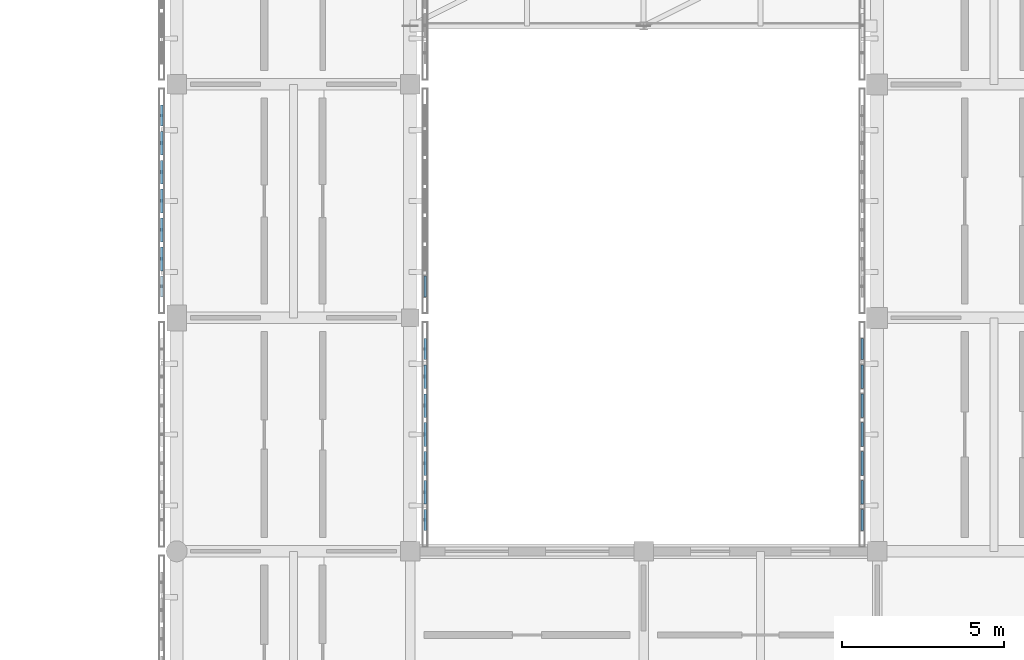
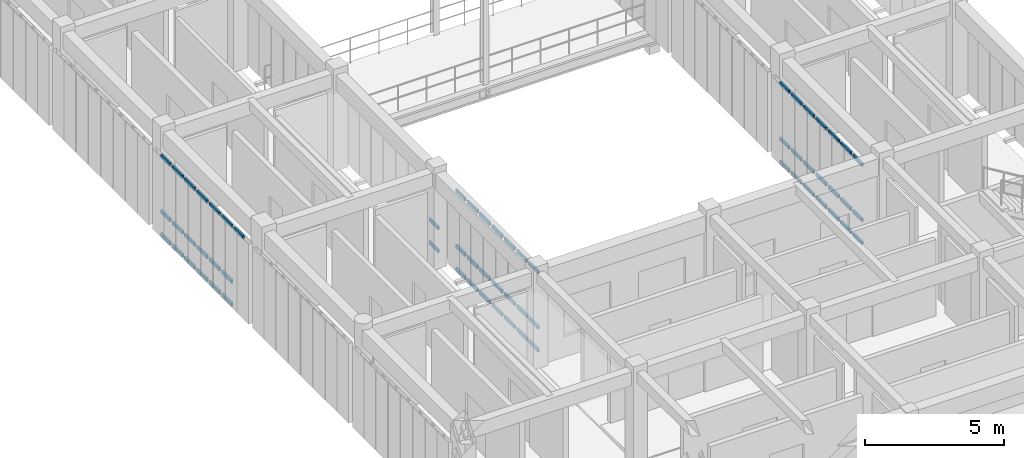
# One storey, part 85 of 171: 63 members, 4 elements without a shape of their own.
"""IFC4 building model written with IfcOpenShell, lengths in metres."""

from ifc_helpers import new_model, si_unit, direction, frame, origin, origin_2d, place, context, subcontext, project, spatial, hollow_rectangle, extrude, material, material_profile, profile_set, type_object, element, aggregate, save


model = new_model("IFC4")

# Units and contexts
model_context = context("Model", 3, precision=1e-05, world=origin(), true_north=direction((0.0, 1.0)))
body_context = subcontext(model_context, "Body", "Model", "MODEL_VIEW")
ifc_project = project(units=[si_unit("LENGTHUNIT", "METRE"), si_unit("AREAUNIT", "SQUARE_METRE"), si_unit("VOLUMEUNIT", "CUBIC_METRE"), si_unit("PLANEANGLEUNIT", "RADIAN"), si_unit("MASSUNIT", "GRAM", prefix="KILO")], contexts=[model_context])

# Site, building, storey
site_placement = place(None, origin())
site = spatial("IfcSite", under=ifc_project, at=site_placement, CompositionType="ELEMENT")
building_placement = place(site_placement, origin())
building = spatial("IfcBuilding", under=site, at=building_placement, Name="Aldebral Square Health Centre", CompositionType="ELEMENT")
storey_placement = place(building_placement, frame((0.0, 0.0, 4.5)))
storey = spatial("IfcBuildingStorey", under=building, at=storey_placement, Name="L01", CompositionType="ELEMENT", Elevation=4.5)

# Curtain wall, members
ifc_material_1 = material(Name="Aluminium and low-E solar glass", Category="aluminium")
curtain_wall_type = type_object("IfcCurtainWallType", Name="CW-FIN-SYS", PredefinedType="USERDEFINED", material=ifc_material_1)
curtain_wall_1_placement = place(storey_placement, origin())
curtain_wall_1 = element("IfcCurtainWall", 1, at=curtain_wall_1_placement, inside=storey, type_object=curtain_wall_type, Name="L01 V5 finned curtain wall L01-V5-19-09-E", ObjectType="SOLAR_CURTAIN_WALL", PredefinedType="USERDEFINED")
ifc_material_2 = material(Name="Anodised aluminium transom", Category="aluminium")
ifc_material_profile = material_profile(ifc_material_2, hollow_rectangle(XDim=0.074951171875, YDim=0.14990234375, WallThickness=0.00390625, at=origin_2d()), Name="CWT 75x150x4")
ifc_profile_set = profile_set([ifc_material_profile], Name="Anodised aluminium transom")
member_type = type_object("IfcMemberType", Name="CWT-STD", PredefinedType="USERDEFINED", material=ifc_profile_set)
member_1_placement = place(storey_placement, frame((144.4599609375, 65.43994140625, 0.03759765625), z_axis=(0.0, 1.0, 0.0), x_axis=(-1.0, 0.0, 0.0)))
member_1 = element("IfcMember", 2, at=member_1_placement, type_object=member_type, Name="CW1 transom 1.1", ObjectType="TRANSOM", PredefinedType="USERDEFINED", context=body_context, shape_type="SweptSolid", body=[
    extrude(hollow_rectangle(XDim=0.074951171875, YDim=0.14990234375, WallThickness=0.00390625, at=origin_2d()), origin(), (0.0, 0.0, 1.0), 0.6513671875),
])
member_2_placement = place(storey_placement, frame((144.4599609375, 65.43994140625, 1.050048828125), z_axis=(0.0, 1.0, 0.0), x_axis=(-1.0, 0.0, 0.0)))
member_2 = element("IfcMember", 3, at=member_2_placement, type_object=member_type, Name="CW1 transom 1.2", ObjectType="TRANSOM", PredefinedType="USERDEFINED", context=body_context, shape_type="SweptSolid", body=[
    extrude(hollow_rectangle(XDim=0.074951171875, YDim=0.14990234375, WallThickness=0.00390625, at=origin_2d()), origin(), (0.0, 0.0, 1.0), 0.6513671875),
])
member_3_placement = place(storey_placement, frame((144.4599609375, 65.43994140625, 3.482421875), z_axis=(0.0, 1.0, 0.0), x_axis=(-1.0, 0.0, 0.0)))
member_3 = element("IfcMember", 4, at=member_3_placement, type_object=member_type, Name="CW1 transom 1.3", ObjectType="TRANSOM", PredefinedType="USERDEFINED", context=body_context, shape_type="SweptSolid", body=[
    extrude(hollow_rectangle(XDim=0.074951171875, YDim=0.14990234375, WallThickness=0.00390625, at=origin_2d()), origin(), (0.0, 0.0, 1.0), 0.6513671875),
])
member_4_placement = place(storey_placement, frame((144.4599609375, 66.25146484375, 0.03759765625), z_axis=(0.0, 1.0, 0.0), x_axis=(-1.0, 0.0, 0.0)))
member_4 = element("IfcMember", 5, at=member_4_placement, type_object=member_type, Name="CW1 transom 2.1", ObjectType="TRANSOM", PredefinedType="USERDEFINED", context=body_context, shape_type="SweptSolid", body=[
    extrude(hollow_rectangle(XDim=0.074951171875, YDim=0.14990234375, WallThickness=0.00390625, at=origin_2d()), origin(), (0.0, 0.0, 1.0), 0.7314453125),
])
member_5_placement = place(storey_placement, frame((144.4599609375, 66.25146484375, 1.050048828125), z_axis=(0.0, 1.0, 0.0), x_axis=(-1.0, 0.0, 0.0)))
member_5 = element("IfcMember", 6, at=member_5_placement, type_object=member_type, Name="CW1 transom 2.2", ObjectType="TRANSOM", PredefinedType="USERDEFINED", context=body_context, shape_type="SweptSolid", body=[
    extrude(hollow_rectangle(XDim=0.074951171875, YDim=0.14990234375, WallThickness=0.00390625, at=origin_2d()), origin(), (0.0, 0.0, 1.0), 0.7314453125),
])
member_6_placement = place(storey_placement, frame((144.4599609375, 66.25146484375, 3.482421875), z_axis=(0.0, 1.0, 0.0), x_axis=(-1.0, 0.0, 0.0)))
member_6 = element("IfcMember", 7, at=member_6_placement, type_object=member_type, Name="CW1 transom 2.3", ObjectType="TRANSOM", PredefinedType="USERDEFINED", context=body_context, shape_type="SweptSolid", body=[
    extrude(hollow_rectangle(XDim=0.074951171875, YDim=0.14990234375, WallThickness=0.00390625, at=origin_2d()), origin(), (0.0, 0.0, 1.0), 0.7314453125),
])
member_7_placement = place(storey_placement, frame((144.4599609375, 67.142822265625, 0.03759765625), z_axis=(0.0, 1.0, 0.0), x_axis=(-1.0, 0.0, 0.0)))
member_7 = element("IfcMember", 8, at=member_7_placement, type_object=member_type, Name="CW1 transom 3.1", ObjectType="TRANSOM", PredefinedType="USERDEFINED", context=body_context, shape_type="SweptSolid", body=[
    extrude(hollow_rectangle(XDim=0.074951171875, YDim=0.14990234375, WallThickness=0.00390625, at=origin_2d()), origin(), (0.0, 0.0, 1.0), 0.7314453125),
])
member_8_placement = place(storey_placement, frame((144.4599609375, 67.142822265625, 1.050048828125), z_axis=(0.0, 1.0, 0.0), x_axis=(-1.0, 0.0, 0.0)))
member_8 = element("IfcMember", 9, at=member_8_placement, type_object=member_type, Name="CW1 transom 3.2", ObjectType="TRANSOM", PredefinedType="USERDEFINED", context=body_context, shape_type="SweptSolid", body=[
    extrude(hollow_rectangle(XDim=0.074951171875, YDim=0.14990234375, WallThickness=0.00390625, at=origin_2d()), origin(), (0.0, 0.0, 1.0), 0.7314453125),
])
member_9_placement = place(storey_placement, frame((144.4599609375, 67.142822265625, 3.482421875), z_axis=(0.0, 1.0, 0.0), x_axis=(-1.0, 0.0, 0.0)))
member_9 = element("IfcMember", 10, at=member_9_placement, type_object=member_type, Name="CW1 transom 3.3", ObjectType="TRANSOM", PredefinedType="USERDEFINED", context=body_context, shape_type="SweptSolid", body=[
    extrude(hollow_rectangle(XDim=0.074951171875, YDim=0.14990234375, WallThickness=0.00390625, at=origin_2d()), origin(), (0.0, 0.0, 1.0), 0.7314453125),
])
member_10_placement = place(storey_placement, frame((144.4599609375, 68.0341796875, 0.03759765625), z_axis=(0.0, 1.0, 0.0), x_axis=(-1.0, 0.0, 0.0)))
member_10 = element("IfcMember", 11, at=member_10_placement, type_object=member_type, Name="CW1 transom 4.1", ObjectType="TRANSOM", PredefinedType="USERDEFINED", context=body_context, shape_type="SweptSolid", body=[
    extrude(hollow_rectangle(XDim=0.074951171875, YDim=0.14990234375, WallThickness=0.00390625, at=origin_2d()), origin(), (0.0, 0.0, 1.0), 0.7314453125),
])
member_11_placement = place(storey_placement, frame((144.4599609375, 68.0341796875, 1.050048828125), z_axis=(0.0, 1.0, 0.0), x_axis=(-1.0, 0.0, 0.0)))
member_11 = element("IfcMember", 12, at=member_11_placement, type_object=member_type, Name="CW1 transom 4.2", ObjectType="TRANSOM", PredefinedType="USERDEFINED", context=body_context, shape_type="SweptSolid", body=[
    extrude(hollow_rectangle(XDim=0.074951171875, YDim=0.14990234375, WallThickness=0.00390625, at=origin_2d()), origin(), (0.0, 0.0, 1.0), 0.7314453125),
])
member_12_placement = place(storey_placement, frame((144.4599609375, 68.0341796875, 3.482421875), z_axis=(0.0, 1.0, 0.0), x_axis=(-1.0, 0.0, 0.0)))
member_12 = element("IfcMember", 13, at=member_12_placement, type_object=member_type, Name="CW1 transom 4.3", ObjectType="TRANSOM", PredefinedType="USERDEFINED", context=body_context, shape_type="SweptSolid", body=[
    extrude(hollow_rectangle(XDim=0.074951171875, YDim=0.14990234375, WallThickness=0.00390625, at=origin_2d()), origin(), (0.0, 0.0, 1.0), 0.7314453125),
])
member_13_placement = place(storey_placement, frame((144.4599609375, 68.92578125, 0.03759765625), z_axis=(0.0, 1.0, 0.0), x_axis=(-1.0, 0.0, 0.0)))
member_13 = element("IfcMember", 14, at=member_13_placement, type_object=member_type, Name="CW1 transom 5.1", ObjectType="TRANSOM", PredefinedType="USERDEFINED", context=body_context, shape_type="SweptSolid", body=[
    extrude(hollow_rectangle(XDim=0.074951171875, YDim=0.14990234375, WallThickness=0.00390625, at=origin_2d()), origin(), (0.0, 0.0, 1.0), 0.7314453125),
])
member_14_placement = place(storey_placement, frame((144.4599609375, 68.92578125, 1.050048828125), z_axis=(0.0, 1.0, 0.0), x_axis=(-1.0, 0.0, 0.0)))
member_14 = element("IfcMember", 15, at=member_14_placement, type_object=member_type, Name="CW1 transom 5.2", ObjectType="TRANSOM", PredefinedType="USERDEFINED", context=body_context, shape_type="SweptSolid", body=[
    extrude(hollow_rectangle(XDim=0.074951171875, YDim=0.14990234375, WallThickness=0.00390625, at=origin_2d()), origin(), (0.0, 0.0, 1.0), 0.7314453125),
])
member_15_placement = place(storey_placement, frame((144.4599609375, 68.92578125, 3.482421875), z_axis=(0.0, 1.0, 0.0), x_axis=(-1.0, 0.0, 0.0)))
member_15 = element("IfcMember", 16, at=member_15_placement, type_object=member_type, Name="CW1 transom 5.3", ObjectType="TRANSOM", PredefinedType="USERDEFINED", context=body_context, shape_type="SweptSolid", body=[
    extrude(hollow_rectangle(XDim=0.074951171875, YDim=0.14990234375, WallThickness=0.00390625, at=origin_2d()), origin(), (0.0, 0.0, 1.0), 0.7314453125),
])
member_16_placement = place(storey_placement, frame((144.4599609375, 69.817138671875, 0.03759765625), z_axis=(0.0, 1.0, 0.0), x_axis=(-1.0, 0.0, 0.0)))
member_16 = element("IfcMember", 17, at=member_16_placement, type_object=member_type, Name="CW1 transom 6.1", ObjectType="TRANSOM", PredefinedType="USERDEFINED", context=body_context, shape_type="SweptSolid", body=[
    extrude(hollow_rectangle(XDim=0.074951171875, YDim=0.14990234375, WallThickness=0.00390625, at=origin_2d()), origin(), (0.0, 0.0, 1.0), 0.7314453125),
])
member_17_placement = place(storey_placement, frame((144.4599609375, 69.817138671875, 1.050048828125), z_axis=(0.0, 1.0, 0.0), x_axis=(-1.0, 0.0, 0.0)))
member_17 = element("IfcMember", 18, at=member_17_placement, type_object=member_type, Name="CW1 transom 6.2", ObjectType="TRANSOM", PredefinedType="USERDEFINED", context=body_context, shape_type="SweptSolid", body=[
    extrude(hollow_rectangle(XDim=0.074951171875, YDim=0.14990234375, WallThickness=0.00390625, at=origin_2d()), origin(), (0.0, 0.0, 1.0), 0.7314453125),
])
member_18_placement = place(storey_placement, frame((144.4599609375, 69.817138671875, 3.482421875), z_axis=(0.0, 1.0, 0.0), x_axis=(-1.0, 0.0, 0.0)))
member_18 = element("IfcMember", 19, at=member_18_placement, type_object=member_type, Name="CW1 transom 6.3", ObjectType="TRANSOM", PredefinedType="USERDEFINED", context=body_context, shape_type="SweptSolid", body=[
    extrude(hollow_rectangle(XDim=0.074951171875, YDim=0.14990234375, WallThickness=0.00390625, at=origin_2d()), origin(), (0.0, 0.0, 1.0), 0.7314453125),
])
member_19_placement = place(storey_placement, frame((144.4599609375, 70.70849609375, 0.03759765625), z_axis=(0.0, 1.0, 0.0), x_axis=(-1.0, 0.0, 0.0)))
member_19 = element("IfcMember", 20, at=member_19_placement, type_object=member_type, Name="CW1 transom 7.1", ObjectType="TRANSOM", PredefinedType="USERDEFINED", context=body_context, shape_type="SweptSolid", body=[
    extrude(hollow_rectangle(XDim=0.074951171875, YDim=0.14990234375, WallThickness=0.00390625, at=origin_2d()), origin(), (0.0, 0.0, 1.0), 0.651611328125),
])
member_20_placement = place(storey_placement, frame((144.4599609375, 70.70849609375, 1.050048828125), z_axis=(0.0, 1.0, 0.0), x_axis=(-1.0, 0.0, 0.0)))
member_20 = element("IfcMember", 21, at=member_20_placement, type_object=member_type, Name="CW1 transom 7.2", ObjectType="TRANSOM", PredefinedType="USERDEFINED", context=body_context, shape_type="SweptSolid", body=[
    extrude(hollow_rectangle(XDim=0.074951171875, YDim=0.14990234375, WallThickness=0.00390625, at=origin_2d()), origin(), (0.0, 0.0, 1.0), 0.651611328125),
])
member_21_placement = place(storey_placement, frame((144.4599609375, 70.70849609375, 3.482421875), z_axis=(0.0, 1.0, 0.0), x_axis=(-1.0, 0.0, 0.0)))
member_21 = element("IfcMember", 22, at=member_21_placement, type_object=member_type, Name="CW1 transom 7.3", ObjectType="TRANSOM", PredefinedType="USERDEFINED", context=body_context, shape_type="SweptSolid", body=[
    extrude(hollow_rectangle(XDim=0.074951171875, YDim=0.14990234375, WallThickness=0.00390625, at=origin_2d()), origin(), (0.0, 0.0, 1.0), 0.651611328125),
])
aggregate(curtain_wall_1, [member_1, member_2, member_3, member_4, member_5, member_6, member_7, member_8, member_9, member_10, member_11, member_12, member_13, member_14, member_15, member_16, member_17, member_18, member_19, member_20, member_21])

curtain_wall_2_placement = place(storey_placement, origin())
curtain_wall_2 = element("IfcCurtainWall", 23, at=curtain_wall_2_placement, inside=storey, type_object=curtain_wall_type, Name="L01 V5 finned curtain wall L01-V5-19-10-W", ObjectType="SOLAR_CURTAIN_WALL", PredefinedType="USERDEFINED")
member_22_placement = place(storey_placement, frame((136.340087890625, 78.56005859375, 0.03759765625), z_axis=(0.0, -1.0, 0.0), x_axis=(1.0, 0.0, 0.0)))
member_22 = element("IfcMember", 24, at=member_22_placement, type_object=member_type, Name="CW1 transom 1.1", ObjectType="TRANSOM", PredefinedType="USERDEFINED", context=body_context, shape_type="SweptSolid", body=[
    extrude(hollow_rectangle(XDim=0.074951171875, YDim=0.14990234375, WallThickness=0.00390625, at=origin_2d()), origin(), (0.0, 0.0, 1.0), 0.6513671875),
])
member_23_placement = place(storey_placement, frame((136.340087890625, 78.56005859375, 1.050048828125), z_axis=(0.0, -1.0, 0.0), x_axis=(1.0, 0.0, 0.0)))
member_23 = element("IfcMember", 25, at=member_23_placement, type_object=member_type, Name="CW1 transom 1.2", ObjectType="TRANSOM", PredefinedType="USERDEFINED", context=body_context, shape_type="SweptSolid", body=[
    extrude(hollow_rectangle(XDim=0.074951171875, YDim=0.14990234375, WallThickness=0.00390625, at=origin_2d()), origin(), (0.0, 0.0, 1.0), 0.6513671875),
])
member_24_placement = place(storey_placement, frame((136.340087890625, 78.56005859375, 3.482421875), z_axis=(0.0, -1.0, 0.0), x_axis=(1.0, 0.0, 0.0)))
member_24 = element("IfcMember", 26, at=member_24_placement, type_object=member_type, Name="CW1 transom 1.3", ObjectType="TRANSOM", PredefinedType="USERDEFINED", context=body_context, shape_type="SweptSolid", body=[
    extrude(hollow_rectangle(XDim=0.074951171875, YDim=0.14990234375, WallThickness=0.00390625, at=origin_2d()), origin(), (0.0, 0.0, 1.0), 0.6513671875),
])
member_25_placement = place(storey_placement, frame((136.340087890625, 77.74853515625, 0.03759765625), z_axis=(0.0, -1.0, 0.0), x_axis=(1.0, 0.0, 0.0)))
member_25 = element("IfcMember", 27, at=member_25_placement, type_object=member_type, Name="CW1 transom 2.1", ObjectType="TRANSOM", PredefinedType="USERDEFINED", context=body_context, shape_type="SweptSolid", body=[
    extrude(hollow_rectangle(XDim=0.074951171875, YDim=0.14990234375, WallThickness=0.00390625, at=origin_2d()), origin(), (0.0, 0.0, 1.0), 0.7314453125),
])
member_26_placement = place(storey_placement, frame((136.340087890625, 77.74853515625, 1.050048828125), z_axis=(0.0, -1.0, 0.0), x_axis=(1.0, 0.0, 0.0)))
member_26 = element("IfcMember", 28, at=member_26_placement, type_object=member_type, Name="CW1 transom 2.2", ObjectType="TRANSOM", PredefinedType="USERDEFINED", context=body_context, shape_type="SweptSolid", body=[
    extrude(hollow_rectangle(XDim=0.074951171875, YDim=0.14990234375, WallThickness=0.00390625, at=origin_2d()), origin(), (0.0, 0.0, 1.0), 0.7314453125),
])
member_27_placement = place(storey_placement, frame((136.340087890625, 77.74853515625, 3.482421875), z_axis=(0.0, -1.0, 0.0), x_axis=(1.0, 0.0, 0.0)))
member_27 = element("IfcMember", 29, at=member_27_placement, type_object=member_type, Name="CW1 transom 2.3", ObjectType="TRANSOM", PredefinedType="USERDEFINED", context=body_context, shape_type="SweptSolid", body=[
    extrude(hollow_rectangle(XDim=0.074951171875, YDim=0.14990234375, WallThickness=0.00390625, at=origin_2d()), origin(), (0.0, 0.0, 1.0), 0.7314453125),
])
member_28_placement = place(storey_placement, frame((136.340087890625, 76.857177734375, 0.03759765625), z_axis=(0.0, -1.0, 0.0), x_axis=(1.0, 0.0, 0.0)))
member_28 = element("IfcMember", 30, at=member_28_placement, type_object=member_type, Name="CW1 transom 3.1", ObjectType="TRANSOM", PredefinedType="USERDEFINED", context=body_context, shape_type="SweptSolid", body=[
    extrude(hollow_rectangle(XDim=0.074951171875, YDim=0.14990234375, WallThickness=0.00390625, at=origin_2d()), origin(), (0.0, 0.0, 1.0), 0.7314453125),
])
member_29_placement = place(storey_placement, frame((136.340087890625, 76.857177734375, 1.050048828125), z_axis=(0.0, -1.0, 0.0), x_axis=(1.0, 0.0, 0.0)))
member_29 = element("IfcMember", 31, at=member_29_placement, type_object=member_type, Name="CW1 transom 3.2", ObjectType="TRANSOM", PredefinedType="USERDEFINED", context=body_context, shape_type="SweptSolid", body=[
    extrude(hollow_rectangle(XDim=0.074951171875, YDim=0.14990234375, WallThickness=0.00390625, at=origin_2d()), origin(), (0.0, 0.0, 1.0), 0.7314453125),
])
member_30_placement = place(storey_placement, frame((136.340087890625, 76.857177734375, 3.482421875), z_axis=(0.0, -1.0, 0.0), x_axis=(1.0, 0.0, 0.0)))
member_30 = element("IfcMember", 32, at=member_30_placement, type_object=member_type, Name="CW1 transom 3.3", ObjectType="TRANSOM", PredefinedType="USERDEFINED", context=body_context, shape_type="SweptSolid", body=[
    extrude(hollow_rectangle(XDim=0.074951171875, YDim=0.14990234375, WallThickness=0.00390625, at=origin_2d()), origin(), (0.0, 0.0, 1.0), 0.7314453125),
])
member_31_placement = place(storey_placement, frame((136.340087890625, 75.9658203125, 0.03759765625), z_axis=(0.0, -1.0, 0.0), x_axis=(1.0, 0.0, 0.0)))
member_31 = element("IfcMember", 33, at=member_31_placement, type_object=member_type, Name="CW1 transom 4.1", ObjectType="TRANSOM", PredefinedType="USERDEFINED", context=body_context, shape_type="SweptSolid", body=[
    extrude(hollow_rectangle(XDim=0.074951171875, YDim=0.14990234375, WallThickness=0.00390625, at=origin_2d()), origin(), (0.0, 0.0, 1.0), 0.7314453125),
])
member_32_placement = place(storey_placement, frame((136.340087890625, 75.9658203125, 1.050048828125), z_axis=(0.0, -1.0, 0.0), x_axis=(1.0, 0.0, 0.0)))
member_32 = element("IfcMember", 34, at=member_32_placement, type_object=member_type, Name="CW1 transom 4.2", ObjectType="TRANSOM", PredefinedType="USERDEFINED", context=body_context, shape_type="SweptSolid", body=[
    extrude(hollow_rectangle(XDim=0.074951171875, YDim=0.14990234375, WallThickness=0.00390625, at=origin_2d()), origin(), (0.0, 0.0, 1.0), 0.7314453125),
])
member_33_placement = place(storey_placement, frame((136.340087890625, 75.9658203125, 3.482421875), z_axis=(0.0, -1.0, 0.0), x_axis=(1.0, 0.0, 0.0)))
member_33 = element("IfcMember", 35, at=member_33_placement, type_object=member_type, Name="CW1 transom 4.3", ObjectType="TRANSOM", PredefinedType="USERDEFINED", context=body_context, shape_type="SweptSolid", body=[
    extrude(hollow_rectangle(XDim=0.074951171875, YDim=0.14990234375, WallThickness=0.00390625, at=origin_2d()), origin(), (0.0, 0.0, 1.0), 0.7314453125),
])
member_34_placement = place(storey_placement, frame((136.340087890625, 75.07421875, 0.03759765625), z_axis=(0.0, -1.0, 0.0), x_axis=(1.0, 0.0, 0.0)))
member_34 = element("IfcMember", 36, at=member_34_placement, type_object=member_type, Name="CW1 transom 5.1", ObjectType="TRANSOM", PredefinedType="USERDEFINED", context=body_context, shape_type="SweptSolid", body=[
    extrude(hollow_rectangle(XDim=0.074951171875, YDim=0.14990234375, WallThickness=0.00390625, at=origin_2d()), origin(), (0.0, 0.0, 1.0), 0.7314453125),
])
member_35_placement = place(storey_placement, frame((136.340087890625, 75.07421875, 1.050048828125), z_axis=(0.0, -1.0, 0.0), x_axis=(1.0, 0.0, 0.0)))
member_35 = element("IfcMember", 37, at=member_35_placement, type_object=member_type, Name="CW1 transom 5.2", ObjectType="TRANSOM", PredefinedType="USERDEFINED", context=body_context, shape_type="SweptSolid", body=[
    extrude(hollow_rectangle(XDim=0.074951171875, YDim=0.14990234375, WallThickness=0.00390625, at=origin_2d()), origin(), (0.0, 0.0, 1.0), 0.7314453125),
])
member_36_placement = place(storey_placement, frame((136.340087890625, 75.07421875, 3.482421875), z_axis=(0.0, -1.0, 0.0), x_axis=(1.0, 0.0, 0.0)))
member_36 = element("IfcMember", 38, at=member_36_placement, type_object=member_type, Name="CW1 transom 5.3", ObjectType="TRANSOM", PredefinedType="USERDEFINED", context=body_context, shape_type="SweptSolid", body=[
    extrude(hollow_rectangle(XDim=0.074951171875, YDim=0.14990234375, WallThickness=0.00390625, at=origin_2d()), origin(), (0.0, 0.0, 1.0), 0.7314453125),
])
member_37_placement = place(storey_placement, frame((136.340087890625, 74.182861328125, 0.03759765625), z_axis=(0.0, -1.0, 0.0), x_axis=(1.0, 0.0, 0.0)))
member_37 = element("IfcMember", 39, at=member_37_placement, type_object=member_type, Name="CW1 transom 6.1", ObjectType="TRANSOM", PredefinedType="USERDEFINED", context=body_context, shape_type="SweptSolid", body=[
    extrude(hollow_rectangle(XDim=0.074951171875, YDim=0.14990234375, WallThickness=0.00390625, at=origin_2d()), origin(), (0.0, 0.0, 1.0), 0.7314453125),
])
member_38_placement = place(storey_placement, frame((136.340087890625, 74.182861328125, 1.050048828125), z_axis=(0.0, -1.0, 0.0), x_axis=(1.0, 0.0, 0.0)))
member_38 = element("IfcMember", 40, at=member_38_placement, type_object=member_type, Name="CW1 transom 6.2", ObjectType="TRANSOM", PredefinedType="USERDEFINED", context=body_context, shape_type="SweptSolid", body=[
    extrude(hollow_rectangle(XDim=0.074951171875, YDim=0.14990234375, WallThickness=0.00390625, at=origin_2d()), origin(), (0.0, 0.0, 1.0), 0.7314453125),
])
member_39_placement = place(storey_placement, frame((136.340087890625, 74.182861328125, 3.482421875), z_axis=(0.0, -1.0, 0.0), x_axis=(1.0, 0.0, 0.0)))
member_39 = element("IfcMember", 41, at=member_39_placement, type_object=member_type, Name="CW1 transom 6.3", ObjectType="TRANSOM", PredefinedType="USERDEFINED", context=body_context, shape_type="SweptSolid", body=[
    extrude(hollow_rectangle(XDim=0.074951171875, YDim=0.14990234375, WallThickness=0.00390625, at=origin_2d()), origin(), (0.0, 0.0, 1.0), 0.7314453125),
])
member_40_placement = place(storey_placement, frame((136.340087890625, 73.29150390625, 3.482421875), z_axis=(0.0, -1.0, 0.0), x_axis=(1.0, 0.0, 0.0)))
member_40 = element("IfcMember", 42, at=member_40_placement, type_object=member_type, Name="CW1 transom 7.3", ObjectType="TRANSOM", PredefinedType="USERDEFINED", context=body_context, shape_type="SweptSolid", body=[
    extrude(hollow_rectangle(XDim=0.074951171875, YDim=0.14990234375, WallThickness=0.00390625, at=origin_2d()), origin(), (0.0, 0.0, 1.0), 0.651611328125),
])
aggregate(curtain_wall_2, [member_22, member_23, member_24, member_25, member_26, member_27, member_28, member_29, member_30, member_31, member_32, member_33, member_34, member_35, member_36, member_37, member_38, member_39, member_40])

curtain_wall_3_placement = place(storey_placement, origin())
curtain_wall_3 = element("IfcCurtainWall", 43, at=curtain_wall_3_placement, inside=storey, type_object=curtain_wall_type, Name="L01 V5 finned curtain wall L01-V5-19-10-E", ObjectType="SOLAR_CURTAIN_WALL", PredefinedType="USERDEFINED")
member_41_placement = place(storey_placement, frame((144.4599609375, 72.639892578125, 0.03759765625), z_axis=(0.0, 1.0, 0.0), x_axis=(-1.0, 0.0, 0.0)))
member_41 = element("IfcMember", 44, at=member_41_placement, type_object=member_type, Name="CW1 transom 1.1", ObjectType="TRANSOM", PredefinedType="USERDEFINED", context=body_context, shape_type="SweptSolid", body=[
    extrude(hollow_rectangle(XDim=0.074951171875, YDim=0.14990234375, WallThickness=0.00390625, at=origin_2d()), origin(), (0.0, 0.0, 1.0), 0.651611328125),
])
member_42_placement = place(storey_placement, frame((144.4599609375, 72.639892578125, 1.050048828125), z_axis=(0.0, 1.0, 0.0), x_axis=(-1.0, 0.0, 0.0)))
member_42 = element("IfcMember", 45, at=member_42_placement, type_object=member_type, Name="CW1 transom 1.2", ObjectType="TRANSOM", PredefinedType="USERDEFINED", context=body_context, shape_type="SweptSolid", body=[
    extrude(hollow_rectangle(XDim=0.074951171875, YDim=0.14990234375, WallThickness=0.00390625, at=origin_2d()), origin(), (0.0, 0.0, 1.0), 0.651611328125),
])
aggregate(curtain_wall_3, [member_41, member_42])

curtain_wall_4_placement = place(storey_placement, origin())
curtain_wall_4 = element("IfcCurtainWall", 46, at=curtain_wall_4_placement, inside=storey, type_object=curtain_wall_type, Name="L01 V5 finned curtain wall L01-V5-22-09-W", ObjectType="SOLAR_CURTAIN_WALL", PredefinedType="USERDEFINED")
member_43_placement = place(storey_placement, frame((157.93994140625, 71.360107421875, 0.03759765625), z_axis=(0.0, -1.0, 0.0), x_axis=(1.0, 0.0, 0.0)))
member_43 = element("IfcMember", 47, at=member_43_placement, type_object=member_type, Name="CW1 transom 1.1", ObjectType="TRANSOM", PredefinedType="USERDEFINED", context=body_context, shape_type="SweptSolid", body=[
    extrude(hollow_rectangle(XDim=0.074951171875, YDim=0.14990234375, WallThickness=0.00390625, at=origin_2d()), origin(), (0.0, 0.0, 1.0), 0.651611328125),
])
member_44_placement = place(storey_placement, frame((157.93994140625, 71.360107421875, 1.050048828125), z_axis=(0.0, -1.0, 0.0), x_axis=(1.0, 0.0, 0.0)))
member_44 = element("IfcMember", 48, at=member_44_placement, type_object=member_type, Name="CW1 transom 1.2", ObjectType="TRANSOM", PredefinedType="USERDEFINED", context=body_context, shape_type="SweptSolid", body=[
    extrude(hollow_rectangle(XDim=0.074951171875, YDim=0.14990234375, WallThickness=0.00390625, at=origin_2d()), origin(), (0.0, 0.0, 1.0), 0.651611328125),
])
member_45_placement = place(storey_placement, frame((157.93994140625, 71.360107421875, 3.482421875), z_axis=(0.0, -1.0, 0.0), x_axis=(1.0, 0.0, 0.0)))
member_45 = element("IfcMember", 49, at=member_45_placement, type_object=member_type, Name="CW1 transom 1.3", ObjectType="TRANSOM", PredefinedType="USERDEFINED", context=body_context, shape_type="SweptSolid", body=[
    extrude(hollow_rectangle(XDim=0.074951171875, YDim=0.14990234375, WallThickness=0.00390625, at=origin_2d()), origin(), (0.0, 0.0, 1.0), 0.651611328125),
])
member_46_placement = place(storey_placement, frame((157.93994140625, 70.548583984375, 0.03759765625), z_axis=(0.0, -1.0, 0.0), x_axis=(1.0, 0.0, 0.0)))
member_46 = element("IfcMember", 50, at=member_46_placement, type_object=member_type, Name="CW1 transom 2.1", ObjectType="TRANSOM", PredefinedType="USERDEFINED", context=body_context, shape_type="SweptSolid", body=[
    extrude(hollow_rectangle(XDim=0.074951171875, YDim=0.14990234375, WallThickness=0.00390625, at=origin_2d()), origin(), (0.0, 0.0, 1.0), 0.7314453125),
])
member_47_placement = place(storey_placement, frame((157.93994140625, 70.548583984375, 1.050048828125), z_axis=(0.0, -1.0, 0.0), x_axis=(1.0, 0.0, 0.0)))
member_47 = element("IfcMember", 51, at=member_47_placement, type_object=member_type, Name="CW1 transom 2.2", ObjectType="TRANSOM", PredefinedType="USERDEFINED", context=body_context, shape_type="SweptSolid", body=[
    extrude(hollow_rectangle(XDim=0.074951171875, YDim=0.14990234375, WallThickness=0.00390625, at=origin_2d()), origin(), (0.0, 0.0, 1.0), 0.7314453125),
])
member_48_placement = place(storey_placement, frame((157.93994140625, 70.548583984375, 3.482421875), z_axis=(0.0, -1.0, 0.0), x_axis=(1.0, 0.0, 0.0)))
member_48 = element("IfcMember", 52, at=member_48_placement, type_object=member_type, Name="CW1 transom 2.3", ObjectType="TRANSOM", PredefinedType="USERDEFINED", context=body_context, shape_type="SweptSolid", body=[
    extrude(hollow_rectangle(XDim=0.074951171875, YDim=0.14990234375, WallThickness=0.00390625, at=origin_2d()), origin(), (0.0, 0.0, 1.0), 0.7314453125),
])
member_49_placement = place(storey_placement, frame((157.93994140625, 69.6572265625, 0.03759765625), z_axis=(0.0, -1.0, 0.0), x_axis=(1.0, 0.0, 0.0)))
member_49 = element("IfcMember", 53, at=member_49_placement, type_object=member_type, Name="CW1 transom 3.1", ObjectType="TRANSOM", PredefinedType="USERDEFINED", context=body_context, shape_type="SweptSolid", body=[
    extrude(hollow_rectangle(XDim=0.074951171875, YDim=0.14990234375, WallThickness=0.00390625, at=origin_2d()), origin(), (0.0, 0.0, 1.0), 0.7314453125),
])
member_50_placement = place(storey_placement, frame((157.93994140625, 69.6572265625, 1.050048828125), z_axis=(0.0, -1.0, 0.0), x_axis=(1.0, 0.0, 0.0)))
member_50 = element("IfcMember", 54, at=member_50_placement, type_object=member_type, Name="CW1 transom 3.2", ObjectType="TRANSOM", PredefinedType="USERDEFINED", context=body_context, shape_type="SweptSolid", body=[
    extrude(hollow_rectangle(XDim=0.074951171875, YDim=0.14990234375, WallThickness=0.00390625, at=origin_2d()), origin(), (0.0, 0.0, 1.0), 0.7314453125),
])
member_51_placement = place(storey_placement, frame((157.93994140625, 69.6572265625, 3.482421875), z_axis=(0.0, -1.0, 0.0), x_axis=(1.0, 0.0, 0.0)))
member_51 = element("IfcMember", 55, at=member_51_placement, type_object=member_type, Name="CW1 transom 3.3", ObjectType="TRANSOM", PredefinedType="USERDEFINED", context=body_context, shape_type="SweptSolid", body=[
    extrude(hollow_rectangle(XDim=0.074951171875, YDim=0.14990234375, WallThickness=0.00390625, at=origin_2d()), origin(), (0.0, 0.0, 1.0), 0.7314453125),
])
member_52_placement = place(storey_placement, frame((157.93994140625, 68.765625, 0.03759765625), z_axis=(0.0, -1.0, 0.0), x_axis=(1.0, 0.0, 0.0)))
member_52 = element("IfcMember", 56, at=member_52_placement, type_object=member_type, Name="CW1 transom 4.1", ObjectType="TRANSOM", PredefinedType="USERDEFINED", context=body_context, shape_type="SweptSolid", body=[
    extrude(hollow_rectangle(XDim=0.074951171875, YDim=0.14990234375, WallThickness=0.00390625, at=origin_2d()), origin(), (0.0, 0.0, 1.0), 0.7314453125),
])
member_53_placement = place(storey_placement, frame((157.93994140625, 68.765625, 1.050048828125), z_axis=(0.0, -1.0, 0.0), x_axis=(1.0, 0.0, 0.0)))
member_53 = element("IfcMember", 57, at=member_53_placement, type_object=member_type, Name="CW1 transom 4.2", ObjectType="TRANSOM", PredefinedType="USERDEFINED", context=body_context, shape_type="SweptSolid", body=[
    extrude(hollow_rectangle(XDim=0.074951171875, YDim=0.14990234375, WallThickness=0.00390625, at=origin_2d()), origin(), (0.0, 0.0, 1.0), 0.7314453125),
])
member_54_placement = place(storey_placement, frame((157.93994140625, 68.765625, 3.482421875), z_axis=(0.0, -1.0, 0.0), x_axis=(1.0, 0.0, 0.0)))
member_54 = element("IfcMember", 58, at=member_54_placement, type_object=member_type, Name="CW1 transom 4.3", ObjectType="TRANSOM", PredefinedType="USERDEFINED", context=body_context, shape_type="SweptSolid", body=[
    extrude(hollow_rectangle(XDim=0.074951171875, YDim=0.14990234375, WallThickness=0.00390625, at=origin_2d()), origin(), (0.0, 0.0, 1.0), 0.7314453125),
])
member_55_placement = place(storey_placement, frame((157.93994140625, 67.874267578125, 0.03759765625), z_axis=(0.0, -1.0, 0.0), x_axis=(1.0, 0.0, 0.0)))
member_55 = element("IfcMember", 59, at=member_55_placement, type_object=member_type, Name="CW1 transom 5.1", ObjectType="TRANSOM", PredefinedType="USERDEFINED", context=body_context, shape_type="SweptSolid", body=[
    extrude(hollow_rectangle(XDim=0.074951171875, YDim=0.14990234375, WallThickness=0.00390625, at=origin_2d()), origin(), (0.0, 0.0, 1.0), 0.7314453125),
])
member_56_placement = place(storey_placement, frame((157.93994140625, 67.874267578125, 1.050048828125), z_axis=(0.0, -1.0, 0.0), x_axis=(1.0, 0.0, 0.0)))
member_56 = element("IfcMember", 60, at=member_56_placement, type_object=member_type, Name="CW1 transom 5.2", ObjectType="TRANSOM", PredefinedType="USERDEFINED", context=body_context, shape_type="SweptSolid", body=[
    extrude(hollow_rectangle(XDim=0.074951171875, YDim=0.14990234375, WallThickness=0.00390625, at=origin_2d()), origin(), (0.0, 0.0, 1.0), 0.7314453125),
])
member_57_placement = place(storey_placement, frame((157.93994140625, 67.874267578125, 3.482421875), z_axis=(0.0, -1.0, 0.0), x_axis=(1.0, 0.0, 0.0)))
member_57 = element("IfcMember", 61, at=member_57_placement, type_object=member_type, Name="CW1 transom 5.3", ObjectType="TRANSOM", PredefinedType="USERDEFINED", context=body_context, shape_type="SweptSolid", body=[
    extrude(hollow_rectangle(XDim=0.074951171875, YDim=0.14990234375, WallThickness=0.00390625, at=origin_2d()), origin(), (0.0, 0.0, 1.0), 0.7314453125),
])
member_58_placement = place(storey_placement, frame((157.93994140625, 66.98291015625, 0.03759765625), z_axis=(0.0, -1.0, 0.0), x_axis=(1.0, 0.0, 0.0)))
member_58 = element("IfcMember", 62, at=member_58_placement, type_object=member_type, Name="CW1 transom 6.1", ObjectType="TRANSOM", PredefinedType="USERDEFINED", context=body_context, shape_type="SweptSolid", body=[
    extrude(hollow_rectangle(XDim=0.074951171875, YDim=0.14990234375, WallThickness=0.00390625, at=origin_2d()), origin(), (0.0, 0.0, 1.0), 0.7314453125),
])
member_59_placement = place(storey_placement, frame((157.93994140625, 66.98291015625, 1.050048828125), z_axis=(0.0, -1.0, 0.0), x_axis=(1.0, 0.0, 0.0)))
member_59 = element("IfcMember", 63, at=member_59_placement, type_object=member_type, Name="CW1 transom 6.2", ObjectType="TRANSOM", PredefinedType="USERDEFINED", context=body_context, shape_type="SweptSolid", body=[
    extrude(hollow_rectangle(XDim=0.074951171875, YDim=0.14990234375, WallThickness=0.00390625, at=origin_2d()), origin(), (0.0, 0.0, 1.0), 0.7314453125),
])
member_60_placement = place(storey_placement, frame((157.93994140625, 66.98291015625, 3.482421875), z_axis=(0.0, -1.0, 0.0), x_axis=(1.0, 0.0, 0.0)))
member_60 = element("IfcMember", 64, at=member_60_placement, type_object=member_type, Name="CW1 transom 6.3", ObjectType="TRANSOM", PredefinedType="USERDEFINED", context=body_context, shape_type="SweptSolid", body=[
    extrude(hollow_rectangle(XDim=0.074951171875, YDim=0.14990234375, WallThickness=0.00390625, at=origin_2d()), origin(), (0.0, 0.0, 1.0), 0.7314453125),
])
member_61_placement = place(storey_placement, frame((157.93994140625, 66.09130859375, 0.03759765625), z_axis=(0.0, -1.0, 0.0), x_axis=(1.0, 0.0, 0.0)))
member_61 = element("IfcMember", 65, at=member_61_placement, type_object=member_type, Name="CW1 transom 7.1", ObjectType="TRANSOM", PredefinedType="USERDEFINED", context=body_context, shape_type="SweptSolid", body=[
    extrude(hollow_rectangle(XDim=0.074951171875, YDim=0.14990234375, WallThickness=0.00390625, at=origin_2d()), origin(), (0.0, 0.0, 1.0), 0.6513671875),
])
member_62_placement = place(storey_placement, frame((157.93994140625, 66.09130859375, 1.050048828125), z_axis=(0.0, -1.0, 0.0), x_axis=(1.0, 0.0, 0.0)))
member_62 = element("IfcMember", 66, at=member_62_placement, type_object=member_type, Name="CW1 transom 7.2", ObjectType="TRANSOM", PredefinedType="USERDEFINED", context=body_context, shape_type="SweptSolid", body=[
    extrude(hollow_rectangle(XDim=0.074951171875, YDim=0.14990234375, WallThickness=0.00390625, at=origin_2d()), origin(), (0.0, 0.0, 1.0), 0.6513671875),
])
member_63_placement = place(storey_placement, frame((157.93994140625, 66.09130859375, 3.482421875), z_axis=(0.0, -1.0, 0.0), x_axis=(1.0, 0.0, 0.0)))
member_63 = element("IfcMember", 67, at=member_63_placement, type_object=member_type, Name="CW1 transom 7.3", ObjectType="TRANSOM", PredefinedType="USERDEFINED", context=body_context, shape_type="SweptSolid", body=[
    extrude(hollow_rectangle(XDim=0.074951171875, YDim=0.14990234375, WallThickness=0.00390625, at=origin_2d()), origin(), (0.0, 0.0, 1.0), 0.6513671875),
])
aggregate(curtain_wall_4, [member_43, member_44, member_45, member_46, member_47, member_48, member_49, member_50, member_51, member_52, member_53, member_54, member_55, member_56, member_57, member_58, member_59, member_60, member_61, member_62, member_63])

save(model, "model.ifc")
